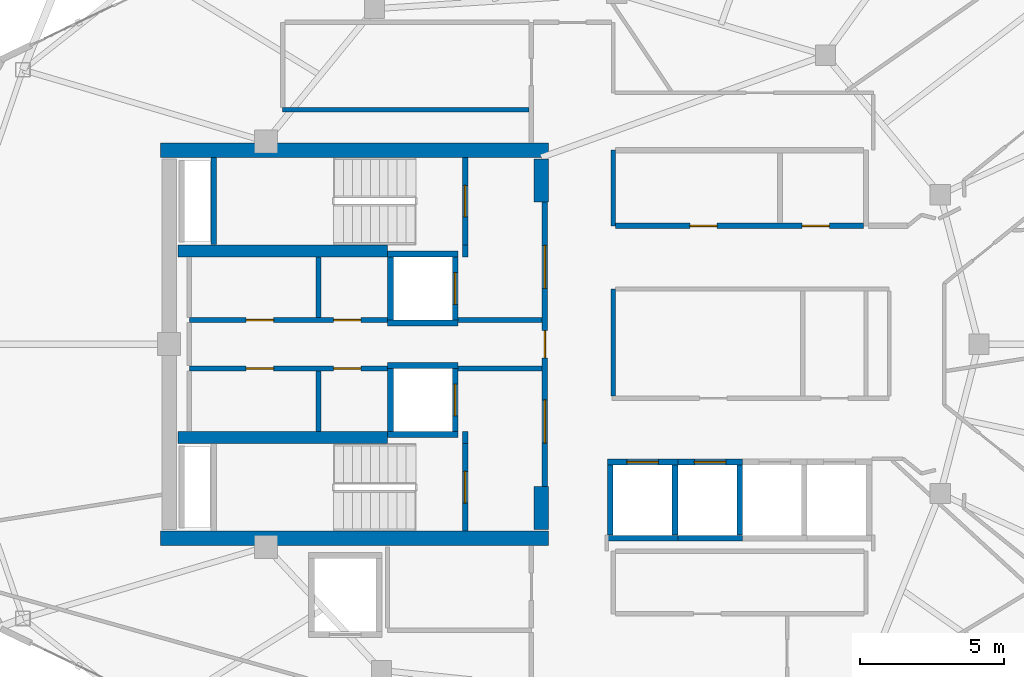
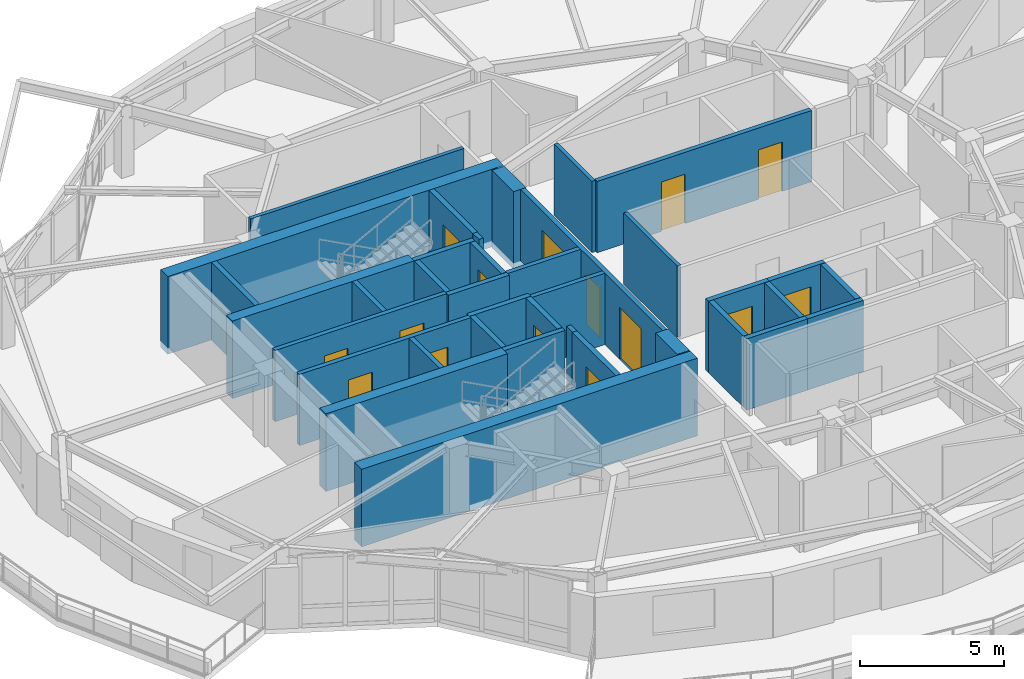
# One storey, part 8 of 16: 37 walls, 15 doors, 15 openings.
"""IFC4 building model written with IfcOpenShell, lengths in metres."""

from ifc_helpers import new_model, si_unit, direction, frame, frame_2d, origin, place, context, subcontext, project, spatial, rectangle, extrude, material, layer, layer_set, type_object, element, fill, save


model = new_model("IFC4")

# Units and contexts
model_context = context("Model", 3, precision=1e-05, world=origin(), true_north=direction((0.0, 1.0)))
body_context = subcontext(model_context, "Body", "Model", "MODEL_VIEW")
ifc_project = project(units=[si_unit("LENGTHUNIT", "METRE"), si_unit("AREAUNIT", "SQUARE_METRE"), si_unit("VOLUMEUNIT", "CUBIC_METRE"), si_unit("PLANEANGLEUNIT", "RADIAN"), si_unit("MASSUNIT", "GRAM", prefix="KILO")], contexts=[model_context])

# Site, building, storey
site_placement = place(None, origin())
site = spatial("IfcSite", under=ifc_project, at=site_placement, CompositionType="ELEMENT")
building_placement = place(site_placement, origin())
building = spatial("IfcBuilding", under=site, at=building_placement, Name="Kolvaren Gate Tower and Convention Centre", CompositionType="ELEMENT")
storey_placement = place(building_placement, frame((0.0, 0.0, 219.5)))
storey = spatial("IfcBuildingStorey", under=building, at=storey_placement, Name="L58", CompositionType="ELEMENT", Elevation=219.5)

# Walls
ifc_material_1 = material(Name="Autoclaved Aerated Masonry Blockwork Class 4 (4.0 MPa)", Category="masonry")
ifc_layer_1 = layer(ifc_material_1, 0.179931640625)
ifc_layer_set_1 = layer_set([ifc_layer_1], Name="Autoclaved Aerated Masonry Blockwork Class 4 (4.0 MPa)")
wall_type_1 = type_object("IfcWallType", Name="ARCH-WL-COMP-180", PredefinedType="SOLIDWALL", material=ifc_layer_set_1)
for number, where, z_axis, x_axis, name in (
    (1, (24.85009765625, 23.5400390625, 0.0), (0.0, 0.0, 1.0), (0.0, 1.0, 0.0), "Interior Partition WL-L58-INT-001"),
    (2, (24.85009765625, 30.0400390625, 0.0), (0.0, 0.0, 1.0), (0.0, 1.0, 0.0), "Interior Partition WL-L58-INT-002"),
):
    element("IfcWall", number, at=place(storey_placement, frame(where, z_axis=z_axis, x_axis=x_axis)), inside=storey, type_object=wall_type_1, Name=name, PredefinedType="SOLIDWALL", context=body_context, shape_type="SweptSolid", body=[
        extrude(rectangle(XDim=0.419921875, YDim=0.179931640625, at=frame_2d((0.2099609375, 0.0))), origin(), (0.0, 0.0, 1.0), 3.030029296875),
    ])

# Wall, openings, doors
wall_1_placement = place(storey_placement, frame((27.6201171875, 22.050048828125, 0.0), z_axis=(0.0, 0.0, 1.0), x_axis=(0.0, 1.0, 0.0)))
wall_1 = element("IfcWall", 3, at=wall_1_placement, inside=storey, type_object=wall_type_1, Name="Interior Partition WL-L58-INT-003", PredefinedType="SOLIDWALL", context=body_context, shape_type="SweptSolid", body=[
    extrude(rectangle(XDim=9.89990234375, YDim=0.179931640625, at=frame_2d((4.949951171875, 0.0))), origin(), (0.0, 0.0, 1.0), 3.030029296875),
])
opening_1_placement = place(wall_1_placement, frame((4.47509765625, 0.0, 0.0)))
opening_1 = element("IfcOpeningElement", 4, at=opening_1_placement, cuts=wall_1, Name="Opening DR-01", PredefinedType="OPENING", context=body_context, shape_type="SweptSolid", body=[
    extrude(rectangle(XDim=0.949951171875, YDim=2.10009765625, at=frame_2d((0.47509765625, 1.050048828125))), frame((0.0, 0.099853515625, 0.0), z_axis=(0.0, -1.0, 0.0), x_axis=(1.0, 0.0, 0.0)), (0.0, 0.0, 1.0), 0.199951171875),
])
opening_2_placement = place(wall_1_placement, frame((6.889892578125, 0.0, 0.0)))
opening_2 = element("IfcOpeningElement", 5, at=opening_2_placement, cuts=wall_1, Name="Opening DL-01", PredefinedType="OPENING", context=body_context, shape_type="SweptSolid", body=[
    extrude(rectangle(XDim=1.5, YDim=2.199951171875, at=frame_2d((0.75, 1.10009765625))), frame((0.0, 0.099853515625, 0.0), z_axis=(0.0, -1.0, 0.0), x_axis=(1.0, 0.0, 0.0)), (0.0, 0.0, 1.0), 0.199951171875),
])
opening_3_placement = place(wall_1_placement, frame((1.510009765625, 0.0, 0.0)))
opening_3 = element("IfcOpeningElement", 6, at=opening_3_placement, cuts=wall_1, Name="Opening DL-01", PredefinedType="OPENING", context=body_context, shape_type="SweptSolid", body=[
    extrude(rectangle(XDim=1.5, YDim=2.199951171875, at=frame_2d((0.75, 1.10009765625))), frame((0.0, 0.099853515625, 0.0), z_axis=(0.0, -1.0, 0.0), x_axis=(1.0, 0.0, 0.0)), (0.0, 0.0, 1.0), 0.199951171875),
])
ifc_material_2 = material(Name="Painted Architectural Steelwork ASTM A500 Grade C 345 MPa", Category="steel")
door_type_1 = type_object("IfcDoorType", Name="ARCH-DR-LOBBY-1500", OperationType="DOUBLE_DOOR_SINGLE_SWING", PredefinedType="DOOR", material=ifc_material_2)
door_1_placement = place(opening_2_placement, origin())
door_1 = element("IfcDoor", 7, at=door_1_placement, inside=storey, type_object=door_type_1, Name="North Firefighting Stair and Lift Lobby Door", OperationType="DOUBLE_DOOR_SINGLE_SWING", OverallHeight=2.199951171875, OverallWidth=1.5, PredefinedType="DOOR", context=body_context, shape_type="SweptSolid", body=[
    extrude(rectangle(XDim=1.5, YDim=2.199951171875, at=frame_2d((0.75, 1.10009765625))), frame((0.0, 0.02490234375, 0.0), z_axis=(0.0, -1.0, 0.0), x_axis=(1.0, 0.0, 0.0)), (0.0, 0.0, 1.0), 0.050048828125),
])
fill(opening_2, door_1)
door_2_placement = place(opening_3_placement, origin())
door_2 = element("IfcDoor", 8, at=door_2_placement, inside=storey, type_object=door_type_1, Name="South Firefighting Stair and Lift Lobby Door", OperationType="DOUBLE_DOOR_SINGLE_SWING", OverallHeight=2.199951171875, OverallWidth=1.5, PredefinedType="DOOR", context=body_context, shape_type="SweptSolid", body=[
    extrude(rectangle(XDim=1.5, YDim=2.199951171875, at=frame_2d((0.75, 1.10009765625))), frame((0.0, 0.02490234375, 0.0), z_axis=(0.0, -1.0, 0.0), x_axis=(1.0, 0.0, 0.0)), (0.0, 0.0, 1.0), 0.050048828125),
])
fill(opening_3, door_2)
door_type_2 = type_object("IfcDoorType", Name="ARCH-DR-RISER-950", OperationType="SINGLE_SWING_RIGHT", PredefinedType="DOOR", material=ifc_material_2)
door_3_placement = place(opening_1_placement, origin())
door_3 = element("IfcDoor", 9, at=door_3_placement, inside=storey, type_object=door_type_2, Name="Central MEP Service Corridor Door", OperationType="SINGLE_SWING_LEFT", OverallHeight=2.10009765625, OverallWidth=0.949951171875, PredefinedType="DOOR", context=body_context, shape_type="SweptSolid", body=[
    extrude(rectangle(XDim=0.949951171875, YDim=2.10009765625, at=frame_2d((0.47509765625, 1.050048828125))), frame((0.0, 0.02490234375, 0.0), z_axis=(0.0, -1.0, 0.0), x_axis=(1.0, 0.0, 0.0)), (0.0, 0.0, 1.0), 0.050048828125),
])
fill(opening_1, door_3)

wall_2_placement = place(storey_placement, frame((15.25, 27.840087890625, 0.0), z_axis=(0.0, 0.0, 1.0), x_axis=(1.0, 0.0, 0.0)))
wall_2 = element("IfcWall", 10, at=wall_2_placement, inside=storey, type_object=wall_type_1, Name="Interior Partition WL-L58-INT-004", PredefinedType="SOLIDWALL", context=body_context, shape_type="SweptSolid", body=[
    extrude(rectangle(XDim=6.89990234375, YDim=0.179931640625, at=frame_2d((3.449951171875, 0.0))), origin(), (0.0, 0.0, 1.0), 3.030029296875),
])
opening_4_placement = place(wall_2_placement, frame((5.02001953125, 0.0, 0.0)))
opening_4 = element("IfcOpeningElement", 11, at=opening_4_placement, cuts=wall_2, Name="Opening DR-01", PredefinedType="OPENING", context=body_context, shape_type="SweptSolid", body=[
    extrude(rectangle(XDim=0.949951171875, YDim=2.10009765625, at=frame_2d((0.47509765625, 1.050048828125))), frame((0.0, 0.099853515625, 0.0), z_axis=(0.0, -1.0, 0.0), x_axis=(1.0, 0.0, 0.0)), (0.0, 0.0, 1.0), 0.199951171875),
])
opening_5_placement = place(wall_2_placement, frame((1.97998046875, 0.0, 0.0)))
opening_5 = element("IfcOpeningElement", 12, at=opening_5_placement, cuts=wall_2, Name="Opening DR-01", PredefinedType="OPENING", context=body_context, shape_type="SweptSolid", body=[
    extrude(rectangle(XDim=0.949951171875, YDim=2.10009765625, at=frame_2d((0.47509765625, 1.050048828125))), frame((0.0, 0.099853515625, 0.0), z_axis=(0.0, -1.0, 0.0), x_axis=(1.0, 0.0, 0.0)), (0.0, 0.0, 1.0), 0.199951171875),
])
door_4_placement = place(opening_4_placement, origin())
door_4 = element("IfcDoor", 13, at=door_4_placement, inside=storey, type_object=door_type_2, Name="Electrical Switchgear Closet Door", OperationType="SINGLE_SWING_RIGHT", OverallHeight=2.10009765625, OverallWidth=0.949951171875, PredefinedType="DOOR", context=body_context, shape_type="SweptSolid", body=[
    extrude(rectangle(XDim=0.949951171875, YDim=2.10009765625, at=frame_2d((0.47509765625, 1.050048828125))), frame((0.0, 0.02490234375, 0.0), z_axis=(0.0, -1.0, 0.0), x_axis=(1.0, 0.0, 0.0)), (0.0, 0.0, 1.0), 0.050048828125),
])
fill(opening_4, door_4)
door_5_placement = place(opening_5_placement, origin())
door_5 = element("IfcDoor", 14, at=door_5_placement, inside=storey, type_object=door_type_2, Name="Staff Powder Washroom Door", OperationType="SINGLE_SWING_RIGHT", OverallHeight=2.10009765625, OverallWidth=0.949951171875, PredefinedType="DOOR", context=body_context, shape_type="SweptSolid", body=[
    extrude(rectangle(XDim=0.949951171875, YDim=2.10009765625, at=frame_2d((0.47509765625, 1.050048828125))), frame((0.0, 0.02490234375, 0.0), z_axis=(0.0, -1.0, 0.0), x_axis=(1.0, 0.0, 0.0)), (0.0, 0.0, 1.0), 0.050048828125),
])
fill(opening_5, door_5)

# Wall
wall_3_placement = place(storey_placement, frame((24.60009765625, 27.840087890625, 0.0), z_axis=(0.0, 0.0, 1.0), x_axis=(1.0, 0.0, 0.0)))
element("IfcWall", 15, at=wall_3_placement, inside=storey, type_object=wall_type_1, Name="Interior Partition WL-L58-INT-004 (2)", PredefinedType="SOLIDWALL", context=body_context, shape_type="SweptSolid", body=[
    extrude(rectangle(XDim=2.927978515625, YDim=0.179931640625, at=frame_2d((1.4638671875, 0.0))), origin(), (0.0, 0.0, 1.0), 3.030029296875),
])

# Wall, openings, doors
wall_4_placement = place(storey_placement, frame((15.25, 26.159912109375, 0.0), z_axis=(0.0, 0.0, 1.0), x_axis=(1.0, 0.0, 0.0)))
wall_4 = element("IfcWall", 16, at=wall_4_placement, inside=storey, type_object=wall_type_1, Name="Interior Partition WL-L58-INT-005", PredefinedType="SOLIDWALL", context=body_context, shape_type="SweptSolid", body=[
    extrude(rectangle(XDim=6.89990234375, YDim=0.179931640625, at=frame_2d((3.449951171875, 0.0))), origin(), (0.0, 0.0, 1.0), 3.030029296875),
])
opening_6_placement = place(wall_4_placement, frame((5.02001953125, 0.0, 0.0)))
opening_6 = element("IfcOpeningElement", 17, at=opening_6_placement, cuts=wall_4, Name="Opening DR-01", PredefinedType="OPENING", context=body_context, shape_type="SweptSolid", body=[
    extrude(rectangle(XDim=0.949951171875, YDim=2.10009765625, at=frame_2d((0.47509765625, 1.050048828125))), frame((0.0, 0.099853515625, 0.0), z_axis=(0.0, -1.0, 0.0), x_axis=(1.0, 0.0, 0.0)), (0.0, 0.0, 1.0), 0.199951171875),
])
opening_7_placement = place(wall_4_placement, frame((1.97998046875, 0.0, 0.0)))
opening_7 = element("IfcOpeningElement", 18, at=opening_7_placement, cuts=wall_4, Name="Opening DR-01", PredefinedType="OPENING", context=body_context, shape_type="SweptSolid", body=[
    extrude(rectangle(XDim=0.949951171875, YDim=2.10009765625, at=frame_2d((0.47509765625, 1.050048828125))), frame((0.0, 0.099853515625, 0.0), z_axis=(0.0, -1.0, 0.0), x_axis=(1.0, 0.0, 0.0)), (0.0, 0.0, 1.0), 0.199951171875),
])
door_6_placement = place(opening_6_placement, origin())
door_6 = element("IfcDoor", 19, at=door_6_placement, inside=storey, type_object=door_type_2, Name="Domestic Water Meter Closet Door", OperationType="SINGLE_SWING_LEFT", OverallHeight=2.10009765625, OverallWidth=0.949951171875, PredefinedType="DOOR", context=body_context, shape_type="SweptSolid", body=[
    extrude(rectangle(XDim=0.949951171875, YDim=2.10009765625, at=frame_2d((0.47509765625, 1.050048828125))), frame((0.0, 0.02490234375, 0.0), z_axis=(0.0, -1.0, 0.0), x_axis=(1.0, 0.0, 0.0)), (0.0, 0.0, 1.0), 0.050048828125),
])
fill(opening_6, door_6)
door_7_placement = place(opening_7_placement, origin())
door_7 = element("IfcDoor", 20, at=door_7_placement, inside=storey, type_object=door_type_2, Name="Janitor Equipment Store Door", OperationType="SINGLE_SWING_LEFT", OverallHeight=2.10009765625, OverallWidth=0.949951171875, PredefinedType="DOOR", context=body_context, shape_type="SweptSolid", body=[
    extrude(rectangle(XDim=0.949951171875, YDim=2.10009765625, at=frame_2d((0.47509765625, 1.050048828125))), frame((0.0, 0.02490234375, 0.0), z_axis=(0.0, -1.0, 0.0), x_axis=(1.0, 0.0, 0.0)), (0.0, 0.0, 1.0), 0.050048828125),
])
fill(opening_7, door_7)

# Walls
wall_5_placement = place(storey_placement, frame((24.60009765625, 26.159912109375, 0.0), z_axis=(0.0, 0.0, 1.0), x_axis=(1.0, 0.0, 0.0)))
element("IfcWall", 21, at=wall_5_placement, inside=storey, type_object=wall_type_1, Name="Interior Partition WL-L58-INT-005 (2)", PredefinedType="SOLIDWALL", context=body_context, shape_type="SweptSolid", body=[
    extrude(rectangle(XDim=2.927978515625, YDim=0.179931640625, at=frame_2d((1.4638671875, 0.0))), origin(), (0.0, 0.0, 1.0), 3.030029296875),
])
for number, where, z_axis, x_axis, name in (
    (22, (19.75, 23.9619140625, 0.0), (0.0, 0.0, 1.0), (0.0, 1.0, 0.0), "Interior Partition WL-L58-INT-007"),
    (23, (19.75, 27.931884765625, 0.0), (0.0, 0.0, 1.0), (0.0, 1.0, 0.0), "Interior Partition WL-L58-INT-008"),
):
    element("IfcWall", number, at=place(storey_placement, frame(where, z_axis=z_axis, x_axis=x_axis)), inside=storey, type_object=wall_type_1, Name=name, PredefinedType="SOLIDWALL", context=body_context, shape_type="SweptSolid", body=[
        extrude(rectangle(XDim=2.106201171875, YDim=0.179931640625, at=frame_2d((1.05322265625, 0.0))), origin(), (0.0, 0.0, 1.0), 3.030029296875),
    ])

# Wall, openings, doors
wall_6_placement = place(storey_placement, frame((30.076904296875, 31.1201171875, 0.0), z_axis=(0.0, 0.0, 1.0), x_axis=(1.0, 0.0, 0.0)))
wall_6 = element("IfcWall", 24, at=wall_6_placement, inside=storey, type_object=wall_type_1, Name="Interior Partition WL-L58-INT-023", PredefinedType="SOLIDWALL", context=body_context, shape_type="SweptSolid", body=[
    extrude(rectangle(XDim=8.631103515625, YDim=0.179931640625, at=frame_2d((4.3154296875, 0.0))), origin(), (0.0, 0.0, 1.0), 3.030029296875),
])
opening_8_placement = place(wall_6_placement, frame((2.591552734375, 0.0, 0.0)))
opening_8 = element("IfcOpeningElement", 25, at=opening_8_placement, cuts=wall_6, Name="Opening DR-01", PredefinedType="OPENING", context=body_context, shape_type="SweptSolid", body=[
    extrude(rectangle(XDim=0.949951171875, YDim=2.10009765625, at=frame_2d((0.47509765625, 1.050048828125))), frame((0.0, 0.099853515625, 0.0), z_axis=(0.0, -1.0, 0.0), x_axis=(1.0, 0.0, 0.0)), (0.0, 0.0, 1.0), 0.199951171875),
])
opening_9_placement = place(wall_6_placement, frame((6.4970703125, 0.0, 0.0)))
opening_9 = element("IfcOpeningElement", 26, at=opening_9_placement, cuts=wall_6, Name="Opening DR-01", PredefinedType="OPENING", context=body_context, shape_type="SweptSolid", body=[
    extrude(rectangle(XDim=0.949951171875, YDim=2.10009765625, at=frame_2d((0.47509765625, 1.050048828125))), frame((0.0, 0.099853515625, 0.0), z_axis=(0.0, -1.0, 0.0), x_axis=(1.0, 0.0, 0.0)), (0.0, 0.0, 1.0), 0.199951171875),
])
door_8_placement = place(opening_8_placement, origin())
door_8 = element("IfcDoor", 27, at=door_8_placement, inside=storey, type_object=door_type_2, Name="Steward Supply Store Door", OperationType="SINGLE_SWING_LEFT", OverallHeight=2.10009765625, OverallWidth=0.949951171875, PredefinedType="DOOR", context=body_context, shape_type="SweptSolid", body=[
    extrude(rectangle(XDim=0.949951171875, YDim=2.10009765625, at=frame_2d((0.47509765625, 1.050048828125))), frame((0.0, 0.02490234375, 0.0), z_axis=(0.0, -1.0, 0.0), x_axis=(1.0, 0.0, 0.0)), (0.0, 0.0, 1.0), 0.050048828125),
])
fill(opening_8, door_8)
door_9_placement = place(opening_9_placement, origin())
door_9 = element("IfcDoor", 28, at=door_9_placement, inside=storey, type_object=door_type_2, Name="Floor Telecom Switch Room Door", OperationType="SINGLE_SWING_RIGHT", OverallHeight=2.10009765625, OverallWidth=0.949951171875, PredefinedType="DOOR", context=body_context, shape_type="SweptSolid", body=[
    extrude(rectangle(XDim=0.949951171875, YDim=2.10009765625, at=frame_2d((0.47509765625, 1.050048828125))), frame((0.0, 0.02490234375, 0.0), z_axis=(0.0, -1.0, 0.0), x_axis=(1.0, 0.0, 0.0)), (0.0, 0.0, 1.0), 0.050048828125),
])
fill(opening_9, door_9)

# Walls
ifc_layer_2 = layer(ifc_material_1, 0.199951171875)
ifc_layer_set_2 = layer_set([ifc_layer_2], Name="Autoclaved Aerated Masonry Blockwork Class 4 (4.0 MPa)")
wall_type_2 = type_object("IfcWallType", Name="ARCH-WL-SHAFT-200", PredefinedType="SOLIDWALL", material=ifc_layer_set_2)
for number, where, z_axis, x_axis, name in (
    (29, (22.14990234375, 30.139892578125, 0.0), (0.0, 0.0, 1.0), (1.0, 0.0, 0.0), "Elevator FF-01 L58 Fire Shaft Wall N"),
    (30, (22.14990234375, 27.739990234375, 0.0), (0.0, 0.0, 1.0), (1.0, 0.0, 0.0), "Elevator FF-01 L58 Fire Shaft Wall S"),
):
    element("IfcWall", number, at=place(storey_placement, frame(where, z_axis=z_axis, x_axis=x_axis)), inside=storey, type_object=wall_type_2, Name=name, PredefinedType="SOLIDWALL", context=body_context, shape_type="SweptSolid", body=[
        extrude(rectangle(XDim=2.4501953125, YDim=0.199951171875, at=frame_2d((1.22509765625, 0.0))), origin(), (0.0, 0.0, 1.0), 3.030029296875),
    ])
wall_7_placement = place(storey_placement, frame((22.25, 27.85009765625, 0.0), z_axis=(0.0, 0.0, 1.0), x_axis=(0.0, 1.0, 0.0)))
element("IfcWall", 31, at=wall_7_placement, inside=storey, type_object=wall_type_2, Name="Elevator FF-01 L58 Fire Shaft Wall W", PredefinedType="SOLIDWALL", context=body_context, shape_type="SweptSolid", body=[
    extrude(rectangle(XDim=2.179931640625, YDim=0.199951171875, at=frame_2d((1.08984375, 0.0))), origin(), (0.0, 0.0, 1.0), 3.030029296875),
])

# Wall, opening, door
wall_8_placement = place(storey_placement, frame((24.5, 27.85009765625, 0.0), z_axis=(0.0, 0.0, 1.0), x_axis=(0.0, 1.0, 0.0)))
wall_8 = element("IfcWall", 32, at=wall_8_placement, inside=storey, type_object=wall_type_2, Name="Elevator FF-01 L58 Fire Shaft Wall E", PredefinedType="SOLIDWALL", context=body_context, shape_type="SweptSolid", body=[
    extrude(rectangle(XDim=2.179931640625, YDim=0.199951171875, at=frame_2d((1.08984375, 0.0))), origin(), (0.0, 0.0, 1.0), 3.030029296875),
])
opening_10_placement = place(wall_8_placement, frame((0.5400390625, 0.0, 0.0)))
opening_10 = element("IfcOpeningElement", 33, at=opening_10_placement, cuts=wall_8, Name="Opening LD", PredefinedType="OPENING", context=body_context, shape_type="SweptSolid", body=[
    extrude(rectangle(XDim=1.10009765625, YDim=2.199951171875, at=frame_2d((0.550048828125, 1.10009765625))), frame((0.0, 0.10986328125, 0.0), z_axis=(0.0, -1.0, 0.0), x_axis=(1.0, 0.0, 0.0)), (0.0, 0.0, 1.0), 0.219970703125),
])
ifc_material_3 = material(Name="Brushed Stainless Steel Grade 316L", Category="steel")
door_type_3 = type_object("IfcDoorType", Name="ARCH-DR-LIFT-1100", OperationType="SLIDING_TO_LEFT", PredefinedType="DOOR", material=ifc_material_3)
door_10_placement = place(opening_10_placement, origin())
door_10 = element("IfcDoor", 34, at=door_10_placement, inside=storey, type_object=door_type_3, Name="Elevator FF-01 L58 Sliding Landing Door", OperationType="SLIDING_TO_LEFT", OverallHeight=2.199951171875, OverallWidth=1.10009765625, PredefinedType="DOOR", context=body_context, shape_type="SweptSolid", body=[
    extrude(rectangle(XDim=1.10009765625, YDim=2.199951171875, at=frame_2d((0.550048828125, 1.10009765625))), frame((0.0, 0.02490234375, 0.0), z_axis=(0.0, -1.0, 0.0), x_axis=(1.0, 0.0, 0.0)), (0.0, 0.0, 1.0), 0.050048828125),
])
fill(opening_10, door_10)

# Walls
for number, where, z_axis, x_axis, name in (
    (35, (22.14990234375, 26.260009765625, 0.0), (0.0, 0.0, 1.0), (1.0, 0.0, 0.0), "Elevator FF-02 L58 Fire Shaft Wall N"),
    (36, (22.14990234375, 23.860107421875, 0.0), (0.0, 0.0, 1.0), (1.0, 0.0, 0.0), "Elevator FF-02 L58 Fire Shaft Wall S"),
):
    element("IfcWall", number, at=place(storey_placement, frame(where, z_axis=z_axis, x_axis=x_axis)), inside=storey, type_object=wall_type_2, Name=name, PredefinedType="SOLIDWALL", context=body_context, shape_type="SweptSolid", body=[
        extrude(rectangle(XDim=2.4501953125, YDim=0.199951171875, at=frame_2d((1.22509765625, 0.0))), origin(), (0.0, 0.0, 1.0), 3.030029296875),
    ])
wall_9_placement = place(storey_placement, frame((22.25, 23.969970703125, 0.0), z_axis=(0.0, 0.0, 1.0), x_axis=(0.0, 1.0, 0.0)))
element("IfcWall", 37, at=wall_9_placement, inside=storey, type_object=wall_type_2, Name="Elevator FF-02 L58 Fire Shaft Wall W", PredefinedType="SOLIDWALL", context=body_context, shape_type="SweptSolid", body=[
    extrude(rectangle(XDim=2.179931640625, YDim=0.199951171875, at=frame_2d((1.08984375, 0.0))), origin(), (0.0, 0.0, 1.0), 3.030029296875),
])

# Wall, opening, door
wall_10_placement = place(storey_placement, frame((24.5, 23.969970703125, 0.0), z_axis=(0.0, 0.0, 1.0), x_axis=(0.0, 1.0, 0.0)))
wall_10 = element("IfcWall", 38, at=wall_10_placement, inside=storey, type_object=wall_type_2, Name="Elevator FF-02 L58 Fire Shaft Wall E", PredefinedType="SOLIDWALL", context=body_context, shape_type="SweptSolid", body=[
    extrude(rectangle(XDim=2.179931640625, YDim=0.199951171875, at=frame_2d((1.08984375, 0.0))), origin(), (0.0, 0.0, 1.0), 3.030029296875),
])
opening_11_placement = place(wall_10_placement, frame((0.5400390625, 0.0, 0.0)))
opening_11 = element("IfcOpeningElement", 39, at=opening_11_placement, cuts=wall_10, Name="Opening LD", PredefinedType="OPENING", context=body_context, shape_type="SweptSolid", body=[
    extrude(rectangle(XDim=1.10009765625, YDim=2.199951171875, at=frame_2d((0.550048828125, 1.10009765625))), frame((0.0, 0.10986328125, 0.0), z_axis=(0.0, -1.0, 0.0), x_axis=(1.0, 0.0, 0.0)), (0.0, 0.0, 1.0), 0.219970703125),
])
door_11_placement = place(opening_11_placement, origin())
door_11 = element("IfcDoor", 40, at=door_11_placement, inside=storey, type_object=door_type_3, Name="Elevator FF-02 L58 Sliding Landing Door", OperationType="SLIDING_TO_LEFT", OverallHeight=2.199951171875, OverallWidth=1.10009765625, PredefinedType="DOOR", context=body_context, shape_type="SweptSolid", body=[
    extrude(rectangle(XDim=1.10009765625, YDim=2.199951171875, at=frame_2d((0.550048828125, 1.10009765625))), frame((0.0, 0.02490234375, 0.0), z_axis=(0.0, -1.0, 0.0), x_axis=(1.0, 0.0, 0.0)), (0.0, 0.0, 1.0), 0.050048828125),
])
fill(opening_11, door_11)

wall_11_placement = place(storey_placement, frame((29.800048828125, 22.89990234375, 0.0), z_axis=(0.0, 0.0, 1.0), x_axis=(1.0, 0.0, 0.0)))
wall_11 = element("IfcWall", 41, at=wall_11_placement, inside=storey, type_object=wall_type_2, Name="Elevator PL-09 L58 Fire Shaft Wall N", PredefinedType="SOLIDWALL", context=body_context, shape_type="SweptSolid", body=[
    extrude(rectangle(XDim=2.449951171875, YDim=0.199951171875, at=frame_2d((1.22509765625, 0.0))), origin(), (0.0, 0.0, 1.0), 3.030029296875),
])
opening_12_placement = place(wall_11_placement, frame((0.675048828125, 0.0, 0.0)))
opening_12 = element("IfcOpeningElement", 42, at=opening_12_placement, cuts=wall_11, Name="Opening LD", PredefinedType="OPENING", context=body_context, shape_type="SweptSolid", body=[
    extrude(rectangle(XDim=1.10009765625, YDim=2.199951171875, at=frame_2d((0.550048828125, 1.10009765625))), frame((0.0, 0.10986328125, 0.0), z_axis=(0.0, -1.0, 0.0), x_axis=(1.0, 0.0, 0.0)), (0.0, 0.0, 1.0), 0.219970703125),
])
door_12_placement = place(opening_12_placement, origin())
door_12 = element("IfcDoor", 43, at=door_12_placement, inside=storey, type_object=door_type_3, Name="Elevator PL-09 L58 Sliding Landing Door", OperationType="SLIDING_TO_LEFT", OverallHeight=2.199951171875, OverallWidth=1.10009765625, PredefinedType="DOOR", context=body_context, shape_type="SweptSolid", body=[
    extrude(rectangle(XDim=1.10009765625, YDim=2.199951171875, at=frame_2d((0.550048828125, 1.10009765625))), frame((0.0, 0.02490234375, 0.0), z_axis=(0.0, -1.0, 0.0), x_axis=(1.0, 0.0, 0.0)), (0.0, 0.0, 1.0), 0.050048828125),
])
fill(opening_12, door_12)

# Walls
wall_12_placement = place(storey_placement, frame((29.800048828125, 20.25, 0.0), z_axis=(0.0, 0.0, 1.0), x_axis=(1.0, 0.0, 0.0)))
element("IfcWall", 44, at=wall_12_placement, inside=storey, type_object=wall_type_2, Name="Elevator PL-09 L58 Fire Shaft Wall S", PredefinedType="SOLIDWALL", context=body_context, shape_type="SweptSolid", body=[
    extrude(rectangle(XDim=2.449951171875, YDim=0.199951171875, at=frame_2d((1.22509765625, 0.0))), origin(), (0.0, 0.0, 1.0), 3.030029296875),
])
for number, where, z_axis, x_axis, name in (
    (45, (29.89990234375, 20.360107421875, 0.0), (0.0, 0.0, 1.0), (0.0, 1.0, 0.0), "Elevator PL-09 L58 Fire Shaft Wall W"),
    (46, (32.14990234375, 20.360107421875, 0.0), (0.0, 0.0, 1.0), (0.0, 1.0, 0.0), "Elevator PL-09 L58 Fire Shaft Wall E"),
):
    element("IfcWall", number, at=place(storey_placement, frame(where, z_axis=z_axis, x_axis=x_axis)), inside=storey, type_object=wall_type_2, Name=name, PredefinedType="SOLIDWALL", context=body_context, shape_type="SweptSolid", body=[
        extrude(rectangle(XDim=2.429931640625, YDim=0.199951171875, at=frame_2d((1.21484375, 0.0))), origin(), (0.0, 0.0, 1.0), 3.030029296875),
    ])

# Wall, opening, door
wall_13_placement = place(storey_placement, frame((32.25, 22.89990234375, 0.0), z_axis=(0.0, 0.0, 1.0), x_axis=(1.0, 0.0, 0.0)))
wall_13 = element("IfcWall", 47, at=wall_13_placement, inside=storey, type_object=wall_type_2, Name="Elevator PL-10 L58 Fire Shaft Wall N", PredefinedType="SOLIDWALL", context=body_context, shape_type="SweptSolid", body=[
    extrude(rectangle(XDim=2.25, YDim=0.199951171875, at=frame_2d((1.125, 0.0))), origin(), (0.0, 0.0, 1.0), 3.030029296875),
])
opening_13_placement = place(wall_13_placement, frame((0.574951171875, 0.0, 0.0)))
opening_13 = element("IfcOpeningElement", 48, at=opening_13_placement, cuts=wall_13, Name="Opening LD", PredefinedType="OPENING", context=body_context, shape_type="SweptSolid", body=[
    extrude(rectangle(XDim=1.10009765625, YDim=2.199951171875, at=frame_2d((0.550048828125, 1.10009765625))), frame((0.0, 0.10986328125, 0.0), z_axis=(0.0, -1.0, 0.0), x_axis=(1.0, 0.0, 0.0)), (0.0, 0.0, 1.0), 0.219970703125),
])
door_13_placement = place(opening_13_placement, origin())
door_13 = element("IfcDoor", 49, at=door_13_placement, inside=storey, type_object=door_type_3, Name="Elevator PL-10 L58 Sliding Landing Door", OperationType="SLIDING_TO_LEFT", OverallHeight=2.199951171875, OverallWidth=1.10009765625, PredefinedType="DOOR", context=body_context, shape_type="SweptSolid", body=[
    extrude(rectangle(XDim=1.10009765625, YDim=2.199951171875, at=frame_2d((0.550048828125, 1.10009765625))), frame((0.0, 0.02490234375, 0.0), z_axis=(0.0, -1.0, 0.0), x_axis=(1.0, 0.0, 0.0)), (0.0, 0.0, 1.0), 0.050048828125),
])
fill(opening_13, door_13)

# Walls
wall_14_placement = place(storey_placement, frame((32.25, 20.25, 0.0), z_axis=(0.0, 0.0, 1.0), x_axis=(1.0, 0.0, 0.0)))
element("IfcWall", 50, at=wall_14_placement, inside=storey, type_object=wall_type_2, Name="Elevator PL-10 L58 Fire Shaft Wall S", PredefinedType="SOLIDWALL", context=body_context, shape_type="SweptSolid", body=[
    extrude(rectangle(XDim=2.25, YDim=0.199951171875, at=frame_2d((1.125, 0.0))), origin(), (0.0, 0.0, 1.0), 3.030029296875),
])
wall_15_placement = place(storey_placement, frame((34.39990234375, 20.360107421875, 0.0), z_axis=(0.0, 0.0, 1.0), x_axis=(0.0, 1.0, 0.0)))
element("IfcWall", 51, at=wall_15_placement, inside=storey, type_object=wall_type_2, Name="Elevator PL-10 L58 Fire Shaft Wall E", PredefinedType="SOLIDWALL", context=body_context, shape_type="SweptSolid", body=[
    extrude(rectangle(XDim=2.429931640625, YDim=0.199951171875, at=frame_2d((1.21484375, 0.0))), origin(), (0.0, 0.0, 1.0), 3.030029296875),
])
ifc_material_4 = material(Name="Moisture-Resistant Cement-Board Acoustic Partition", Category="gypsum")
ifc_layer_3 = layer(ifc_material_4, 0.14990234375)
ifc_layer_set_3 = layer_set([ifc_layer_3], Name="Moisture-Resistant Cement-Board Acoustic Partition")
wall_type_3 = type_object("IfcWallType", Name="ARCH-WL-WET-150", PredefinedType="PARTITIONING", material=ifc_layer_set_3)
wall_16_placement = place(storey_placement, frame((30.0, 25.197021484375, 0.0), z_axis=(0.0, 0.0, 1.0), x_axis=(0.0, 1.0, 0.0)))
element("IfcWall", 52, at=wall_16_placement, inside=storey, type_object=wall_type_3, Name="Interior Partition WL-L58-INT-015", PredefinedType="PARTITIONING", context=body_context, shape_type="SweptSolid", body=[
    extrude(rectangle(XDim=3.722900390625, YDim=0.14990234375, at=frame_2d((1.861328125, 0.0))), origin(), (0.0, 0.0, 1.0), 3.030029296875),
])
wall_17_placement = place(storey_placement, frame((30.0, 31.1201171875, 0.0), z_axis=(0.0, 0.0, 1.0), x_axis=(0.0, 1.0, 0.0)))
element("IfcWall", 53, at=wall_17_placement, inside=storey, type_object=wall_type_3, Name="Interior Partition WL-L58-INT-016", PredefinedType="PARTITIONING", context=body_context, shape_type="SweptSolid", body=[
    extrude(rectangle(XDim=2.6298828125, YDim=0.14990234375, at=frame_2d((1.31494140625, 0.0))), origin(), (0.0, 0.0, 1.0), 3.030029296875),
])
wall_18_placement = place(storey_placement, frame((18.5, 35.159912109375, 0.0), z_axis=(0.0, 0.0, 1.0), x_axis=(1.0, 0.0, 0.0)))
element("IfcWall", 54, at=wall_18_placement, inside=storey, type_object=wall_type_3, Name="Interior Partition WL-L58-INT-028", PredefinedType="PARTITIONING", context=body_context, shape_type="SweptSolid", body=[
    extrude(rectangle(XDim=8.572998046875, YDim=0.14990234375, at=frame_2d((4.28662109375, 0.0))), origin(), (0.0, 0.0, 1.0), 3.030029296875),
])
ifc_material_5 = material(Name="Concrete C50/60", Category="concrete")
ifc_layer_4 = layer(ifc_material_5, 0.419921875)
ifc_layer_set_4 = layer_set([ifc_layer_4], Name="Concrete C50/60")
wall_type_4 = type_object("IfcWallType", Name="STR-WL-CONV-420", PredefinedType="SHEAR", material=ifc_layer_set_4)
for number, where, z_axis, x_axis, name in (
    (55, (14.85009765625, 30.25, -0.27001953125), (0.0, 0.0, 1.0), (1.0, 0.0, 0.0), "Tower L58 Offset Core Shear Wall WN"),
    (56, (14.85009765625, 23.75, -0.27001953125), (0.0, 0.0, 1.0), (1.0, 0.0, 0.0), "Tower L58 Offset Core Shear Wall WS"),
):
    element("IfcWall", number, at=place(storey_placement, frame(where, z_axis=z_axis, x_axis=x_axis)), inside=storey, type_object=wall_type_4, Name=name, PredefinedType="SHEAR", context=body_context, shape_type="SweptSolid", body=[
        extrude(rectangle(XDim=7.2998046875, YDim=0.419921875, at=frame_2d((3.64990234375, 0.0))), origin(), (0.0, 0.0, 1.0), 3.300048828125),
    ])
ifc_layer_5 = layer(ifc_material_5, 0.5)
ifc_layer_set_5 = layer_set([ifc_layer_5], Name="Concrete C50/60")
wall_type_5 = type_object("IfcWallType", Name="STR-WL-CORE-500", PredefinedType="SHEAR", material=ifc_layer_set_5)
for number, where, z_axis, x_axis, name in (
    (57, (14.25, 33.75, -0.27001953125), (0.0, 0.0, 1.0), (1.0, 0.0, 0.0), "Tower L58 Offset Core Shear Wall N"),
    (58, (14.25, 20.25, -0.27001953125), (0.0, 0.0, 1.0), (1.0, 0.0, 0.0), "Tower L58 Offset Core Shear Wall S"),
):
    element("IfcWall", number, at=place(storey_placement, frame(where, z_axis=z_axis, x_axis=x_axis)), inside=storey, type_object=wall_type_5, Name=name, PredefinedType="SHEAR", context=body_context, shape_type="SweptSolid", body=[
        extrude(rectangle(XDim=13.5, YDim=0.5, at=frame_2d((6.75, 0.0))), origin(), (0.0, 0.0, 1.0), 3.300048828125),
    ])
for number, where, z_axis, x_axis, name in (
    (59, (27.5, 31.949951171875, -0.27001953125), (0.0, 0.0, 1.0), (0.0, 1.0, 0.0), "Tower L58 Offset Core Shear Wall EN"),
    (60, (27.5, 20.550048828125, -0.27001953125), (0.0, 0.0, 1.0), (0.0, 1.0, 0.0), "Tower L58 Offset Core Shear Wall ES"),
):
    element("IfcWall", number, at=place(storey_placement, frame(where, z_axis=z_axis, x_axis=x_axis)), inside=storey, type_object=wall_type_5, Name=name, PredefinedType="SHEAR", context=body_context, shape_type="SweptSolid", body=[
        extrude(rectangle(XDim=1.5, YDim=0.5, at=frame_2d((0.75, 0.0))), origin(), (0.0, 0.0, 1.0), 3.300048828125),
    ])

# Wall, opening, door
ifc_layer_6 = layer(ifc_material_5, 0.199951171875)
ifc_layer_set_6 = layer_set([ifc_layer_6], Name="Concrete C50/60")
wall_type_6 = type_object("IfcWallType", Name="STR-WL-SHAFT-200", PredefinedType="SHEAR", material=ifc_layer_set_6)
wall_19_placement = place(storey_placement, frame((24.85009765625, 30.4599609375, -0.27001953125), z_axis=(0.0, 0.0, 1.0), x_axis=(0.0, 1.0, 0.0)))
wall_19 = element("IfcWall", 61, at=wall_19_placement, inside=storey, type_object=wall_type_6, Name="Tower North Exit Stair ST-T1 L58 Structural Shear Enclosure Wall NEAR", PredefinedType="SHEAR", context=body_context, shape_type="SweptSolid", body=[
    extrude(rectangle(XDim=3.0380859375, YDim=0.199951171875, at=frame_2d((1.51904296875, 0.0))), origin(), (0.0, 0.0, 1.0), 3.300048828125),
])
opening_14_placement = place(wall_19_placement, frame((0.968994140625, 0.0, 0.27001953125)))
opening_14 = element("IfcOpeningElement", 62, at=opening_14_placement, cuts=wall_19, Name="Opening DS-01", PredefinedType="OPENING", context=body_context, shape_type="SweptSolid", body=[
    extrude(rectangle(XDim=1.10009765625, YDim=2.14990234375, at=frame_2d((0.550048828125, 1.074951171875))), frame((0.0, 0.10986328125, 0.0), z_axis=(0.0, -1.0, 0.0), x_axis=(1.0, 0.0, 0.0)), (0.0, 0.0, 1.0), 0.219970703125),
])
door_type_4 = type_object("IfcDoorType", Name="ARCH-DR-STAIR-1100", OperationType="SINGLE_SWING_LEFT", PredefinedType="DOOR", material=ifc_material_2)
door_14_placement = place(opening_14_placement, origin())
door_14 = element("IfcDoor", 63, at=door_14_placement, inside=storey, type_object=door_type_4, Name="Tower North Exit Stair ST-T1 L58 Fire Exit Stair Door", OperationType="SINGLE_SWING_RIGHT", OverallHeight=2.14990234375, OverallWidth=1.10009765625, PredefinedType="DOOR", context=body_context, shape_type="SweptSolid", body=[
    extrude(rectangle(XDim=1.10009765625, YDim=2.14990234375, at=frame_2d((0.550048828125, 1.074951171875))), frame((0.0, 0.02490234375, 0.0), z_axis=(0.0, -1.0, 0.0), x_axis=(1.0, 0.0, 0.0)), (0.0, 0.0, 1.0), 0.050048828125),
])
fill(opening_14, door_14)

# Wall
wall_20_placement = place(storey_placement, frame((16.10009765625, 30.4619140625, -0.27001953125), z_axis=(0.0, 0.0, 1.0), x_axis=(0.0, 1.0, 0.0)))
element("IfcWall", 64, at=wall_20_placement, inside=storey, type_object=wall_type_6, Name="Tower North Exit Stair ST-T1 L58 Structural Shear Enclosure Wall FAR", PredefinedType="SHEAR", context=body_context, shape_type="SweptSolid", body=[
    extrude(rectangle(XDim=3.0361328125, YDim=0.199951171875, at=frame_2d((1.51806640625, 0.0))), origin(), (0.0, 0.0, 1.0), 3.300048828125),
])

# Wall, opening, door
wall_21_placement = place(storey_placement, frame((24.85009765625, 20.501953125, -0.27001953125), z_axis=(0.0, 0.0, 1.0), x_axis=(0.0, 1.0, 0.0)))
wall_21 = element("IfcWall", 65, at=wall_21_placement, inside=storey, type_object=wall_type_6, Name="Tower South Exit Stair ST-T2 L58 Structural Shear Enclosure Wall NEAR", PredefinedType="SHEAR", context=body_context, shape_type="SweptSolid", body=[
    extrude(rectangle(XDim=3.0380859375, YDim=0.199951171875, at=frame_2d((1.51904296875, 0.0))), origin(), (0.0, 0.0, 1.0), 3.300048828125),
])
opening_15_placement = place(wall_21_placement, frame((0.968994140625, 0.0, 0.27001953125)))
opening_15 = element("IfcOpeningElement", 66, at=opening_15_placement, cuts=wall_21, Name="Opening DS-01", PredefinedType="OPENING", context=body_context, shape_type="SweptSolid", body=[
    extrude(rectangle(XDim=1.10009765625, YDim=2.14990234375, at=frame_2d((0.550048828125, 1.074951171875))), frame((0.0, 0.10986328125, 0.0), z_axis=(0.0, -1.0, 0.0), x_axis=(1.0, 0.0, 0.0)), (0.0, 0.0, 1.0), 0.219970703125),
])
door_15_placement = place(opening_15_placement, origin())
door_15 = element("IfcDoor", 67, at=door_15_placement, inside=storey, type_object=door_type_4, Name="Tower South Exit Stair ST-T2 L58 Fire Exit Stair Door", OperationType="SINGLE_SWING_RIGHT", OverallHeight=2.14990234375, OverallWidth=1.10009765625, PredefinedType="DOOR", context=body_context, shape_type="SweptSolid", body=[
    extrude(rectangle(XDim=1.10009765625, YDim=2.14990234375, at=frame_2d((0.550048828125, 1.074951171875))), frame((0.0, 0.02490234375, 0.0), z_axis=(0.0, -1.0, 0.0), x_axis=(1.0, 0.0, 0.0)), (0.0, 0.0, 1.0), 0.050048828125),
])
fill(opening_15, door_15)

save(model, "model.ifc")
